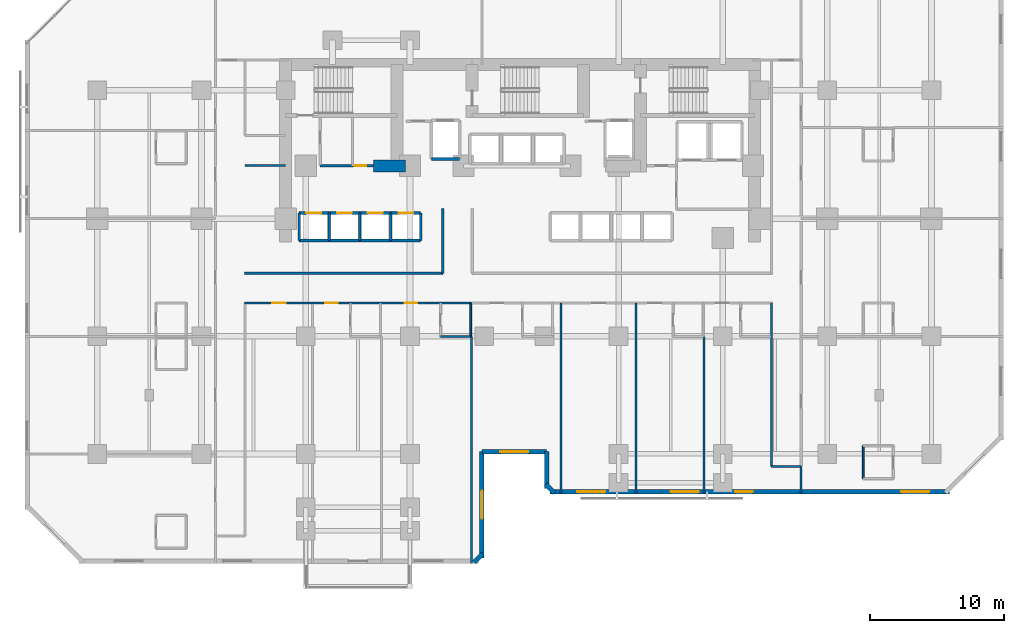
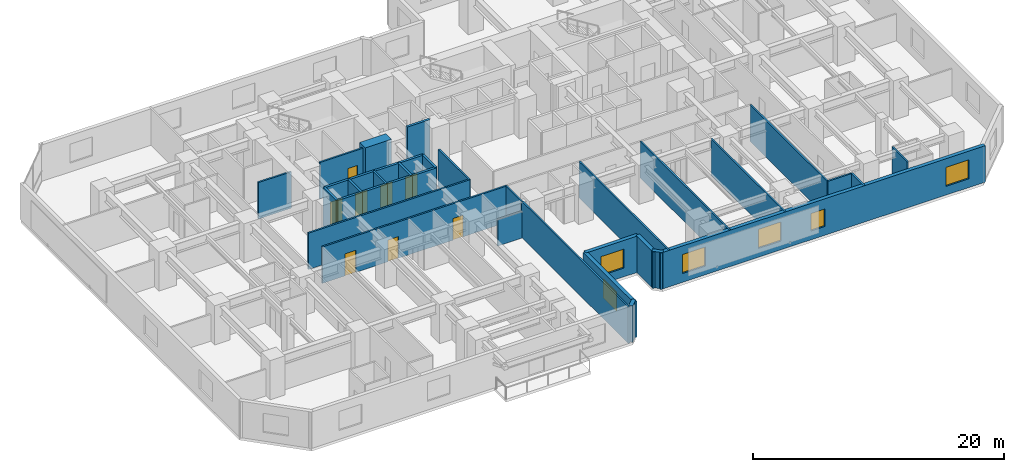
# One storey, part 6 of 12: 36 walls, 8 doors, 6 windows, 14 openings.
"""IFC4 building model written with IfcOpenShell, lengths in metres."""

import ifcopenshell
import ifcopenshell.guid

model = None  # the IFC model being written
_history = None  # IfcOwnerHistory: only IFC2X3 demands one
_inside = {}  # id of a spatial element -> (the spatial element, [elements in it])
_under = {}  # id of a project, library or spatial element -> (it, [spatial elements below it])
_declared = {}  # id of a project -> (the project, [libraries it declares])
_typed = {}  # id of a type object -> (the type object, [elements of that type])
_made_of = {}  # id of a material, layer set ... -> (it, [elements and type objects made of it])


def new_model(schema):
    """Start an empty IFC model of exactly this schema.

    Asked for "IFC4X3", IfcOpenShell would pick the latest addendum, in which some entities
    have other attributes; the version numbers below select the first issue.
    IFC2X3 requires an IfcOwnerHistory on every rooted entity: one is made here for all.
    """
    global model, _history
    if schema == "IFC4X3":
        model = ifcopenshell.file(schema_version=(4, 3, 0, 0))
    else:
        model = ifcopenshell.file(schema=schema)
    _inside.clear()
    _under.clear()
    _declared.clear()
    _typed.clear()
    _made_of.clear()
    _history = None
    if model.schema == "IFC2X3":
        org = make("IfcOrganization", Name="unknown")
        user = make(
            "IfcPersonAndOrganization",
            ThePerson=make("IfcPerson", FamilyName="unknown"),
            TheOrganization=org,
        )
        app = make(
            "IfcApplication",
            ApplicationDeveloper=org,
            Version="unknown",
            ApplicationFullName="unknown",
            ApplicationIdentifier="unknown",
        )
        _history = make(
            "IfcOwnerHistory",
            OwningUser=user,
            OwningApplication=app,
            ChangeAction="ADDED",
            CreationDate=0,
        )
    return model


def make(cls, **values):
    """One entity of the class cls with the attributes given. An attribute that is None is left unset."""
    return model.create_entity(
        cls, **{name: value for name, value in values.items() if value is not None}
    )


def rooted(cls, **values):
    """An entity with a GlobalId (a new one), such as an element, a storey or a relation."""
    return make(cls, GlobalId=ifcopenshell.guid.new(), OwnerHistory=_history, **values)


def si_unit(unit_type, name, prefix=None):
    """IfcSIUnit, for example si_unit("LENGTHUNIT", "METRE", prefix="MILLI")."""
    return make("IfcSIUnit", UnitType=unit_type, Prefix=prefix, Name=name)


def assignment(units):
    """IfcUnitAssignment: the units of a project."""
    return None if units is None else make("IfcUnitAssignment", Units=units)


def point(xyz):
    """IfcCartesianPoint."""
    return None if xyz is None else make("IfcCartesianPoint", Coordinates=xyz)


def direction(xyz):
    """IfcDirection."""
    return None if xyz is None else make("IfcDirection", DirectionRatios=xyz)


def frame(location, z_axis=None, x_axis=None):
    """IfcAxis2Placement3D, a coordinate frame: its origin and axes. An axis left out is left unset."""
    return make(
        "IfcAxis2Placement3D",
        Location=point(location),
        Axis=direction(z_axis),
        RefDirection=direction(x_axis),
    )


def frame_2d(location, x_axis=None):
    """IfcAxis2Placement2D, a coordinate frame in the plane: its origin and x axis."""
    return make(
        "IfcAxis2Placement2D", Location=point(location), RefDirection=direction(x_axis)
    )


def origin():
    """The frame at (0, 0, 0) with its axes left unset."""
    return frame((0.0, 0.0, 0.0))


def place(relative_to, where):
    """IfcLocalPlacement: puts the frame where relative to a parent placement (None: the world)."""
    return make(
        "IfcLocalPlacement", PlacementRelTo=relative_to, RelativePlacement=where
    )


def context(
    kind, dimensions, precision=None, world=None, true_north=None, identifier=None
):
    """IfcGeometricRepresentationContext, for example the 3D "Model" context."""
    return make(
        "IfcGeometricRepresentationContext",
        ContextIdentifier=identifier,
        ContextType=kind,
        CoordinateSpaceDimension=dimensions,
        Precision=precision,
        WorldCoordinateSystem=world,
        TrueNorth=true_north,
    )


def subcontext(parent, identifier, kind, view, scale=None):
    """IfcGeometricRepresentationSubContext, for example "Body" below "Model"."""
    return make(
        "IfcGeometricRepresentationSubContext",
        ContextIdentifier=identifier,
        ContextType=kind,
        ParentContext=parent,
        TargetScale=scale,
        TargetView=view,
    )


def project(units=None, contexts=None):
    """IfcProject with its units and contexts."""
    return rooted(
        "IfcProject",
        Name="project",
        RepresentationContexts=contexts,
        UnitsInContext=assignment(units),
    )


def spatial(cls, under=None, at=None, **own):
    """A site, building, storey or space (cls), placed at a placement, below another one or the project."""
    s = rooted(cls, ObjectPlacement=at, **own)
    if under is not None:
        _under.setdefault(under.id(), (under, []))[1].append(s)
    return s


def profile(cls, at=None, kind="AREA", **sizes):
    """A parametric profile (cls). Its sizes go by their IFC names, for example OverallWidth=200.0."""
    return make(cls, ProfileType=kind, Position=at, **sizes)


def rectangle(**sizes):
    """IfcRectangleProfileDef."""
    return profile("IfcRectangleProfileDef", **sizes)


def extrude(swept, where, along, depth):
    """IfcExtrudedAreaSolid: the profile swept, set in the frame where, extruded along a direction by depth."""
    return make(
        "IfcExtrudedAreaSolid",
        SweptArea=swept,
        Position=where,
        ExtrudedDirection=direction(along),
        Depth=depth,
    )


def shape(context_of_items, identifier, shape_type, items):
    """IfcShapeRepresentation: the items that make up one representation, for example the "Body"."""
    return make(
        "IfcShapeRepresentation",
        ContextOfItems=context_of_items,
        RepresentationIdentifier=identifier,
        RepresentationType=shape_type,
        Items=items,
    )


def material(Name=None, Category=None):
    """IfcMaterial."""
    return make("IfcMaterial", Name=Name, Category=Category)


def layer(
    of_material, thickness, ventilated=None, Name=None, Category=None, Priority=None
):
    """IfcMaterialLayer: one layer of a wall or slab, of a material (None: an air gap)."""
    return make(
        "IfcMaterialLayer",
        Material=of_material,
        LayerThickness=thickness,
        IsVentilated=ventilated,
        Name=Name,
        Category=Category,
        Priority=Priority,
    )


def layer_set(layers, Name=None):
    """IfcMaterialLayerSet."""
    return make("IfcMaterialLayerSet", MaterialLayers=layers, LayerSetName=Name)


def made_of(thing, what):
    """Note that an element or type object is made of a material, layer set ...; save() writes the relation."""
    if what is not None:
        _made_of.setdefault(what.id(), (what, []))[1].append(thing)
    return thing


def type_object(cls, material=None, **own):
    """A type object (cls), such as IfcWallType, which elements share."""
    return made_of(rooted(cls, **own), material)


def element(
    cls,
    number,
    at=None,
    inside=None,
    cuts=None,
    type_object=None,
    material=None,
    context=None,
    identifier="Body",
    shape_type=None,
    held_by="IfcProductDefinitionShape",
    body=None,
    shapes=None,
    **own,
):
    """One element of the class cls, such as IfcWall. Its Tag is "e" and its number.

    at: its placement. inside: the storey or other place that contains it. cuts: it is an
    opening in that element (IfcRelVoidsElement). A single representation is given by context,
    identifier, shape_type and body (its items); several are given by shapes. held_by: the class
    of the entity that holds the representations. save() writes the other relations.
    """
    e = rooted(cls, Tag="e%d" % number, ObjectPlacement=at, **own)
    if body is not None:
        shapes = [shape(context, identifier, shape_type, body)]
    if shapes is not None:
        e.Representation = make(held_by, Representations=shapes)
    if inside is not None:
        _inside.setdefault(inside.id(), (inside, []))[1].append(e)
    if cuts is not None:
        rooted(
            "IfcRelVoidsElement", RelatingBuildingElement=cuts, RelatedOpeningElement=e
        )
    if type_object is not None:
        _typed.setdefault(type_object.id(), (type_object, []))[1].append(e)
    return made_of(e, material)


def fill(opening, filler):
    """IfcRelFillsElement: the door or window that sits in an opening."""
    return rooted(
        "IfcRelFillsElement",
        RelatingOpeningElement=opening,
        RelatedBuildingElement=filler,
    )


def aggregate(whole, parts):
    """IfcRelAggregates: a whole, such as a stair, and the parts it consists of."""
    return rooted("IfcRelAggregates", RelatingObject=whole, RelatedObjects=parts)


def save(model, path):
    """Write the relations noted so far, then the file.

    IfcRelAggregates (storeys below a building ...), IfcRelContainedInSpatialStructure (elements
    in a storey), IfcRelDefinesByType, IfcRelAssociatesMaterial and IfcRelDeclares: one each for
    every whole, place, type object, material and project.
    """
    for whole, parts in _under.values():
        aggregate(whole, parts)
    for where, things in _inside.values():
        rooted(
            "IfcRelContainedInSpatialStructure",
            RelatedElements=things,
            RelatingStructure=where,
        )
    for kind, things in _typed.values():
        rooted("IfcRelDefinesByType", RelatedObjects=things, RelatingType=kind)
    for what, things in _made_of.values():
        rooted("IfcRelAssociatesMaterial", RelatedObjects=things, RelatingMaterial=what)
    for by, libraries in _declared.values():
        rooted("IfcRelDeclares", RelatingContext=by, RelatedDefinitions=libraries)
    model.write(path)


model = new_model("IFC4")

# Units and contexts
model_context = context("Model", 3, precision=1e-05, world=origin(), true_north=direction((0.0, 1.0)))
body_context = subcontext(model_context, "Body", "Model", "MODEL_VIEW")
ifc_project = project(units=[si_unit("LENGTHUNIT", "METRE"), si_unit("AREAUNIT", "SQUARE_METRE"), si_unit("VOLUMEUNIT", "CUBIC_METRE"), si_unit("PLANEANGLEUNIT", "RADIAN"), si_unit("MASSUNIT", "GRAM", prefix="KILO")], contexts=[model_context])

# Site, building, storey
site_placement = place(None, origin())
site = spatial("IfcSite", under=ifc_project, at=site_placement, CompositionType="ELEMENT")
building_placement = place(site_placement, origin())
building = spatial("IfcBuilding", under=site, at=building_placement, Name="Kestravale Grand Hotel", CompositionType="ELEMENT")
storey_placement = place(building_placement, frame((0.0, 0.0, 33.60009765625)))
storey = spatial("IfcBuildingStorey", under=building, at=storey_placement, Name="L07", CompositionType="ELEMENT", Elevation=33.60009765625)

# Walls
ifc_material_1 = material(Name="Concrete f'c 70 MPa", Category="concrete")
ifc_layer_1 = layer(ifc_material_1, 0.89990234375)
ifc_layer_set_1 = layer_set([ifc_layer_1], Name="EW-CORE-900")
wall_type_1 = type_object("IfcWallType", Name="EW-CORE-900", PredefinedType="SHEAR", material=ifc_layer_set_1)
wall_1_placement = place(storey_placement, frame((28.449951171875, 32.75, 0.0), z_axis=(0.0, 0.0, 1.0), x_axis=(1.0, 0.0, 0.0)))
element("IfcWall", 1, at=wall_1_placement, inside=storey, type_object=wall_type_1, Name="L07 core shear wall S1", PredefinedType="SHEAR", context=body_context, shape_type="SweptSolid", body=[
    extrude(rectangle(XDim=2.400146484375, YDim=0.89990234375, at=frame_2d((1.2001953125, 0.0))), origin(), (0.0, 0.0, 1.0), 3.7998046875),
])
ifc_material_2 = material(Name="Precast concrete f'c 45 MPa", Category="concrete")
ifc_layer_2 = layer(ifc_material_2, 0.340087890625)
ifc_layer_set_2 = layer_set([ifc_layer_2], Name="EW-PREC-340")
wall_type_2 = type_object("IfcWallType", Name="EW-PREC-340", PredefinedType="SOLIDWALL", material=ifc_layer_set_2)
wall_2_placement = place(storey_placement, frame((36.00146484375, 3.091796875, 0.0), z_axis=(0.0, 0.0, 1.0), x_axis=(0.707106781187, 0.707106781187, 0.0)))
element("IfcWall", 2, at=wall_2_placement, inside=storey, type_object=wall_type_2, Name="L07 fluted precast facade wall 2", PredefinedType="SOLIDWALL", context=body_context, shape_type="SweptSolid", body=[
    extrude(rectangle(XDim=0.9287109375, YDim=0.340087890625, at=frame_2d((0.46435546875, 0.0))), origin(), (0.0, 0.0, 1.0), 3.539794921875),
])

# Wall, opening, window
wall_3_placement = place(storey_placement, frame((36.580078125, 3.429931640625, 0.0), z_axis=(0.0, 0.0, 1.0), x_axis=(0.0, 1.0, 0.0)))
wall_3 = element("IfcWall", 3, at=wall_3_placement, inside=storey, type_object=wall_type_2, Name="L07 fluted precast facade wall 3", PredefinedType="SOLIDWALL", context=body_context, shape_type="SweptSolid", body=[
    extrude(rectangle(XDim=7.940185546875, YDim=0.340087890625, at=frame_2d((3.97021484375, 0.0))), origin(), (0.0, 0.0, 1.0), 3.539794921875),
])
opening_1_placement = place(wall_3_placement, frame((2.919921875, 0.0, 0.85009765625)))
opening_1 = element("IfcOpeningElement", 4, at=opening_1_placement, cuts=wall_3, Name="Opening W-GUEST-2100", PredefinedType="OPENING", context=body_context, shape_type="SweptSolid", body=[
    extrude(rectangle(XDim=2.10009765625, YDim=1.85009765625, at=frame_2d((1.050048828125, 0.925048828125))), frame((0.0, 0.179931640625, 0.0), z_axis=(0.0, -1.0, 0.0), x_axis=(1.0, 0.0, 0.0)), (0.0, 0.0, 1.0), 0.360107421875),
])
ifc_material_3 = material(Name="Insulated low-E double glazing in aluminium frame", Category="aluminium")
window_type_1 = type_object("IfcWindowType", Name="W-GUEST-2100", PartitioningType="DOUBLE_PANEL_VERTICAL", PredefinedType="WINDOW", material=ifc_material_3)
window_1_placement = place(opening_1_placement, origin())
window_1 = element("IfcWindow", 5, at=window_1_placement, inside=storey, type_object=window_type_1, Name="L07 exterior window 3.1", OverallHeight=1.85009765625, OverallWidth=2.10009765625, PartitioningType="SINGLE_PANEL", PredefinedType="WINDOW", context=body_context, shape_type="SweptSolid", body=[
    extrude(rectangle(XDim=2.10009765625, YDim=1.85009765625, at=frame_2d((1.050048828125, 0.925048828125))), frame((0.0, 0.030029296875, 0.0), z_axis=(0.0, -1.0, 0.0), x_axis=(1.0, 0.0, 0.0)), (0.0, 0.0, 1.0), 0.06005859375),
])
fill(opening_1, window_1)

wall_4_placement = place(storey_placement, frame((36.580078125, 11.3701171875, 0.0), z_axis=(0.0, 0.0, 1.0), x_axis=(1.0, 0.0, 0.0)))
wall_4 = element("IfcWall", 6, at=wall_4_placement, inside=storey, type_object=wall_type_2, Name="L07 fluted precast facade wall 4", PredefinedType="SOLIDWALL", context=body_context, shape_type="SweptSolid", body=[
    extrude(rectangle(XDim=4.83984375, YDim=0.340087890625, at=frame_2d((2.419921875, 0.0))), origin(), (0.0, 0.0, 1.0), 3.539794921875),
])
opening_2_placement = place(wall_4_placement, frame((1.3701171875, 0.0, 0.85009765625)))
opening_2 = element("IfcOpeningElement", 7, at=opening_2_placement, cuts=wall_4, Name="Opening W-GUEST-2100", PredefinedType="OPENING", context=body_context, shape_type="SweptSolid", body=[
    extrude(rectangle(XDim=2.10009765625, YDim=1.85009765625, at=frame_2d((1.050048828125, 0.925048828125))), frame((0.0, 0.179931640625, 0.0), z_axis=(0.0, -1.0, 0.0), x_axis=(1.0, 0.0, 0.0)), (0.0, 0.0, 1.0), 0.360107421875),
])
window_2_placement = place(opening_2_placement, origin())
window_2 = element("IfcWindow", 8, at=window_2_placement, inside=storey, type_object=window_type_1, Name="L07 exterior window 4.1", OverallHeight=1.85009765625, OverallWidth=2.10009765625, PartitioningType="SINGLE_PANEL", PredefinedType="WINDOW", context=body_context, shape_type="SweptSolid", body=[
    extrude(rectangle(XDim=2.10009765625, YDim=1.85009765625, at=frame_2d((1.050048828125, 0.925048828125))), frame((0.0, 0.030029296875, 0.0), z_axis=(0.0, -1.0, 0.0), x_axis=(1.0, 0.0, 0.0)), (0.0, 0.0, 1.0), 0.06005859375),
])
fill(opening_2, window_2)

# Walls
wall_5_placement = place(storey_placement, frame((41.419921875, 11.3701171875, 0.0), z_axis=(0.0, 0.0, 1.0), x_axis=(0.0, -1.0, 0.0)))
element("IfcWall", 9, at=wall_5_placement, inside=storey, type_object=wall_type_2, Name="L07 fluted precast facade wall 5", PredefinedType="SOLIDWALL", context=body_context, shape_type="SweptSolid", body=[
    extrude(rectangle(XDim=2.740234375, YDim=0.340087890625, at=frame_2d((1.3701171875, 0.0))), origin(), (0.0, 0.0, 1.0), 3.539794921875),
])
wall_6_placement = place(storey_placement, frame((41.341796875, 8.948486328125, 0.0), z_axis=(0.0, 0.0, 1.0), x_axis=(0.707238225886, -0.706975312048, 0.0)))
element("IfcWall", 10, at=wall_6_placement, inside=storey, type_object=wall_type_2, Name="L07 fluted precast facade wall 6", PredefinedType="SOLIDWALL", context=body_context, shape_type="SweptSolid", body=[
    extrude(rectangle(XDim=0.9287109375, YDim=0.340087890625, at=frame_2d((0.46435546875, 0.0))), origin(), (0.0, 0.0, 1.0), 3.539794921875),
])

# Wall, openings, windows
wall_7_placement = place(storey_placement, frame((41.679931640625, 8.3701171875, 0.0), z_axis=(0.0, 0.0, 1.0), x_axis=(1.0, 0.0, 0.0)))
wall_7 = element("IfcWall", 11, at=wall_7_placement, inside=storey, type_object=wall_type_2, Name="L07 fluted precast facade wall 7", PredefinedType="SOLIDWALL", context=body_context, shape_type="SweptSolid", body=[
    extrude(rectangle(XDim=29.89013671875, YDim=0.340087890625, at=frame_2d((14.945068359375, 0.0))), origin(), (0.0, 0.0, 1.0), 3.539794921875),
])
opening_3_placement = place(wall_7_placement, frame((2.0361328125, 0.0, 0.85009765625)))
opening_3 = element("IfcOpeningElement", 12, at=opening_3_placement, cuts=wall_7, Name="Opening W-GUEST-2100", PredefinedType="OPENING", context=body_context, shape_type="SweptSolid", body=[
    extrude(rectangle(XDim=2.10009765625, YDim=1.85009765625, at=frame_2d((1.050048828125, 0.925048828125))), frame((0.0, 0.179931640625, 0.0), z_axis=(0.0, -1.0, 0.0), x_axis=(1.0, 0.0, 0.0)), (0.0, 0.0, 1.0), 0.360107421875),
])
opening_4_placement = place(wall_7_placement, frame((9.0087890625, 0.0, 0.85009765625)))
opening_4 = element("IfcOpeningElement", 13, at=opening_4_placement, cuts=wall_7, Name="Opening W-GUEST-2100", PredefinedType="OPENING", context=body_context, shape_type="SweptSolid", body=[
    extrude(rectangle(XDim=2.10009765625, YDim=1.85009765625, at=frame_2d((1.050048828125, 0.925048828125))), frame((0.0, 0.179931640625, 0.0), z_axis=(0.0, -1.0, 0.0), x_axis=(1.0, 0.0, 0.0)), (0.0, 0.0, 1.0), 0.360107421875),
])
opening_5_placement = place(wall_7_placement, frame((26.253662109375, 0.0, 0.85009765625)))
opening_5 = element("IfcOpeningElement", 14, at=opening_5_placement, cuts=wall_7, Name="Opening W-GUEST-2100", PredefinedType="OPENING", context=body_context, shape_type="SweptSolid", body=[
    extrude(rectangle(XDim=2.10009765625, YDim=1.85009765625, at=frame_2d((1.050048828125, 0.925048828125))), frame((0.0, 0.179931640625, 0.0), z_axis=(0.0, -1.0, 0.0), x_axis=(1.0, 0.0, 0.0)), (0.0, 0.0, 1.0), 0.360107421875),
])
opening_6_placement = place(wall_7_placement, frame((13.844970703125, 0.0, 0.85009765625)))
opening_6 = element("IfcOpeningElement", 15, at=opening_6_placement, cuts=wall_7, Name="Opening W-GUEST-1300", PredefinedType="OPENING", context=body_context, shape_type="SweptSolid", body=[
    extrude(rectangle(XDim=1.300048828125, YDim=1.699951171875, at=frame_2d((0.64990234375, 0.85009765625))), frame((0.0, 0.179931640625, 0.0), z_axis=(0.0, -1.0, 0.0), x_axis=(1.0, 0.0, 0.0)), (0.0, 0.0, 1.0), 0.360107421875),
])
ifc_material_4 = material(Name="Insulated low-E double glazing in aluminium frame", Category="aluminium")
window_type_2 = type_object("IfcWindowType", Name="W-GUEST-1300", PartitioningType="SINGLE_PANEL", PredefinedType="WINDOW", material=ifc_material_4)
window_3_placement = place(opening_6_placement, origin())
window_3 = element("IfcWindow", 16, at=window_3_placement, inside=storey, type_object=window_type_2, Name="L07 guestroom envelope window 1", OverallHeight=1.699951171875, OverallWidth=1.300048828125, PartitioningType="SINGLE_PANEL", PredefinedType="WINDOW", context=body_context, shape_type="SweptSolid", body=[
    extrude(rectangle(XDim=1.300048828125, YDim=1.699951171875, at=frame_2d((0.64990234375, 0.85009765625))), frame((0.0, 0.030029296875, 0.0), z_axis=(0.0, -1.0, 0.0), x_axis=(1.0, 0.0, 0.0)), (0.0, 0.0, 1.0), 0.06005859375),
])
fill(opening_6, window_3)
window_4_placement = place(opening_3_placement, origin())
window_4 = element("IfcWindow", 17, at=window_4_placement, inside=storey, type_object=window_type_1, Name="L07 exterior window 7.1", OverallHeight=1.85009765625, OverallWidth=2.10009765625, PartitioningType="SINGLE_PANEL", PredefinedType="WINDOW", context=body_context, shape_type="SweptSolid", body=[
    extrude(rectangle(XDim=2.10009765625, YDim=1.85009765625, at=frame_2d((1.050048828125, 0.925048828125))), frame((0.0, 0.030029296875, 0.0), z_axis=(0.0, -1.0, 0.0), x_axis=(1.0, 0.0, 0.0)), (0.0, 0.0, 1.0), 0.06005859375),
])
fill(opening_3, window_4)
window_5_placement = place(opening_4_placement, origin())
window_5 = element("IfcWindow", 18, at=window_5_placement, inside=storey, type_object=window_type_1, Name="L07 exterior window 7.2", OverallHeight=1.85009765625, OverallWidth=2.10009765625, PartitioningType="SINGLE_PANEL", PredefinedType="WINDOW", context=body_context, shape_type="SweptSolid", body=[
    extrude(rectangle(XDim=2.10009765625, YDim=1.85009765625, at=frame_2d((1.050048828125, 0.925048828125))), frame((0.0, 0.030029296875, 0.0), z_axis=(0.0, -1.0, 0.0), x_axis=(1.0, 0.0, 0.0)), (0.0, 0.0, 1.0), 0.06005859375),
])
fill(opening_4, window_5)
window_6_placement = place(opening_5_placement, origin())
window_6 = element("IfcWindow", 19, at=window_6_placement, inside=storey, type_object=window_type_1, Name="L07 exterior window 7.3", OverallHeight=1.85009765625, OverallWidth=2.10009765625, PartitioningType="SINGLE_PANEL", PredefinedType="WINDOW", context=body_context, shape_type="SweptSolid", body=[
    extrude(rectangle(XDim=2.10009765625, YDim=1.85009765625, at=frame_2d((1.050048828125, 0.925048828125))), frame((0.0, 0.030029296875, 0.0), z_axis=(0.0, -1.0, 0.0), x_axis=(1.0, 0.0, 0.0)), (0.0, 0.0, 1.0), 0.06005859375),
])
fill(opening_5, window_6)

# Wall, opening, door
ifc_material_5 = material(Name="Acoustic fire-rated gypsum board partition", Category="other")
ifc_layer_3 = layer(ifc_material_5, 0.159912109375)
ifc_layer_set_3 = layer_set([ifc_layer_3], Name="IW-CORR-160")
wall_type_3 = type_object("IfcWallType", Name="IW-CORR-160", PredefinedType="PARTITIONING", material=ifc_layer_set_3)
wall_8_placement = place(storey_placement, frame((24.47998046875, 32.75, 0.0), z_axis=(0.0, 0.0, 1.0), x_axis=(1.0, 0.0, 0.0)))
wall_8 = element("IfcWall", 20, at=wall_8_placement, inside=storey, type_object=wall_type_3, Name="W-L07-CWS", PredefinedType="PARTITIONING", context=body_context, shape_type="SweptSolid", body=[
    extrude(rectangle(XDim=3.969970703125, YDim=0.159912109375, at=frame_2d((1.98486328125, 0.0))), origin(), (0.0, 0.0, 1.0), 3.539794921875),
])
opening_7_placement = place(wall_8_placement, frame((2.574951171875, 0.0, 0.0)))
opening_7 = element("IfcOpeningElement", 21, at=opening_7_placement, cuts=wall_8, Name="Opening D-BATH-880", PredefinedType="OPENING", context=body_context, shape_type="SweptSolid", body=[
    extrude(rectangle(XDim=0.8798828125, YDim=2.050048828125, at=frame_2d((0.43994140625, 1.02490234375))), frame((0.0, 0.08984375, 0.0), z_axis=(0.0, -1.0, 0.0), x_axis=(1.0, 0.0, 0.0)), (0.0, 0.0, 1.0), 0.179931640625),
])
ifc_material_6 = material(Name="Moisture-sealed walnut en-suite bathroom door", Category="wood")
door_type_1 = type_object("IfcDoorType", Name="D-BATH-880", OperationType="NOTDEFINED", PredefinedType="DOOR", material=ifc_material_6)
door_1_placement = place(opening_7_placement, origin())
door_1 = element("IfcDoor", 22, at=door_1_placement, inside=storey, type_object=door_type_1, Name="D-L07-SWC", OperationType="SINGLE_SWING_RIGHT", OverallHeight=2.050048828125, OverallWidth=0.8798828125, PredefinedType="DOOR", context=body_context, shape_type="SweptSolid", body=[
    extrude(rectangle(XDim=0.8798828125, YDim=2.050048828125, at=frame_2d((0.43994140625, 1.02490234375))), frame((0.0, 0.02490234375, 0.0), z_axis=(0.0, -1.0, 0.0), x_axis=(1.0, 0.0, 0.0)), (0.0, 0.0, 1.0), 0.050048828125),
])
fill(opening_7, door_1)

# Walls
wall_9_placement = place(storey_placement, frame((18.800048828125, 24.7099609375, 0.0), z_axis=(0.0, 0.0, 1.0), x_axis=(1.0, 0.0, 0.0)))
element("IfcWall", 23, at=wall_9_placement, inside=storey, type_object=wall_type_3, Name="W-L07-CW-N", PredefinedType="PARTITIONING", context=body_context, shape_type="SweptSolid", body=[
    extrude(rectangle(XDim=14.849853515625, YDim=0.159912109375, at=frame_2d((7.4248046875, 0.0))), origin(), (0.0, 0.0, 1.0), 3.539794921875),
])
wall_10_placement = place(storey_placement, frame((33.64990234375, 24.7099609375, 0.0), z_axis=(0.0, 0.0, 1.0), x_axis=(0.0, 1.0, 0.0)))
element("IfcWall", 24, at=wall_10_placement, inside=storey, type_object=wall_type_3, Name="W-L07-TRUNK-W", PredefinedType="PARTITIONING", context=body_context, shape_type="SweptSolid", body=[
    extrude(rectangle(XDim=4.840087890625, YDim=0.159912109375, at=frame_2d((2.419921875, 0.0))), origin(), (0.0, 0.0, 1.0), 3.539794921875),
])

# Wall, openings, doors
wall_11_placement = place(storey_placement, frame((18.800048828125, 22.489990234375, 0.0), z_axis=(0.0, 0.0, 1.0), x_axis=(1.0, 0.0, 0.0)))
wall_11 = element("IfcWall", 25, at=wall_11_placement, inside=storey, type_object=wall_type_3, Name="W-L07-CW-S", PredefinedType="PARTITIONING", context=body_context, shape_type="SweptSolid", body=[
    extrude(rectangle(XDim=17.0, YDim=0.159912109375, at=frame_2d((8.5, 0.0))), origin(), (0.0, 0.0, 1.0), 3.539794921875),
])
opening_8_placement = place(wall_11_placement, frame((2.0849609375, 0.0, 0.0)))
opening_8 = element("IfcOpeningElement", 26, at=opening_8_placement, cuts=wall_11, Name="Opening D-GUEST-1000", PredefinedType="OPENING", context=body_context, shape_type="SweptSolid", body=[
    extrude(rectangle(XDim=1.0, YDim=2.14990234375, at=frame_2d((0.5, 1.074951171875))), frame((0.0, 0.08984375, 0.0), z_axis=(0.0, -1.0, 0.0), x_axis=(1.0, 0.0, 0.0)), (0.0, 0.0, 1.0), 0.179931640625),
])
opening_9_placement = place(wall_11_placement, frame((6.0517578125, 0.0, 0.0)))
opening_9 = element("IfcOpeningElement", 27, at=opening_9_placement, cuts=wall_11, Name="Opening D-GUEST-950", PredefinedType="OPENING", context=body_context, shape_type="SweptSolid", body=[
    extrude(rectangle(XDim=0.949951171875, YDim=2.10009765625, at=frame_2d((0.47509765625, 1.050048828125))), frame((0.0, 0.08984375, 0.0), z_axis=(0.0, -1.0, 0.0), x_axis=(1.0, 0.0, 0.0)), (0.0, 0.0, 1.0), 0.179931640625),
])
opening_10_placement = place(wall_11_placement, frame((11.99658203125, 0.0, 0.0)))
opening_10 = element("IfcOpeningElement", 28, at=opening_10_placement, cuts=wall_11, Name="Opening D-GUEST-950", PredefinedType="OPENING", context=body_context, shape_type="SweptSolid", body=[
    extrude(rectangle(XDim=0.949951171875, YDim=2.10009765625, at=frame_2d((0.47509765625, 1.050048828125))), frame((0.0, 0.08984375, 0.0), z_axis=(0.0, -1.0, 0.0), x_axis=(1.0, 0.0, 0.0)), (0.0, 0.0, 1.0), 0.179931640625),
])
ifc_material_7 = material(Name="Accessible walnut veneer hotel entrance fire door", Category="wood")
door_type_2 = type_object("IfcDoorType", Name="D-GUEST-1000", OperationType="NOTDEFINED", PredefinedType="DOOR", material=ifc_material_7)
door_2_placement = place(opening_8_placement, origin())
door_2 = element("IfcDoor", 29, at=door_2_placement, inside=storey, type_object=door_type_2, Name="D-L07-AMW", OperationType="SINGLE_SWING_LEFT", OverallHeight=2.14990234375, OverallWidth=1.0, PredefinedType="DOOR", context=body_context, shape_type="SweptSolid", body=[
    extrude(rectangle(XDim=1.0, YDim=2.14990234375, at=frame_2d((0.5, 1.074951171875))), frame((0.0, 0.02490234375, 0.0), z_axis=(0.0, -1.0, 0.0), x_axis=(1.0, 0.0, 0.0)), (0.0, 0.0, 1.0), 0.050048828125),
])
fill(opening_8, door_2)
ifc_material_8 = material(Name="Walnut veneer hotel guestroom entrance fire door", Category="wood")
door_type_3 = type_object("IfcDoorType", Name="D-GUEST-950", OperationType="NOTDEFINED", PredefinedType="DOOR", material=ifc_material_8)
door_3_placement = place(opening_9_placement, origin())
door_3 = element("IfcDoor", 30, at=door_3_placement, inside=storey, type_object=door_type_3, Name="D-L07-U01-ENT", OperationType="SINGLE_SWING_LEFT", OverallHeight=2.10009765625, OverallWidth=0.949951171875, PredefinedType="DOOR", context=body_context, shape_type="SweptSolid", body=[
    extrude(rectangle(XDim=0.949951171875, YDim=2.10009765625, at=frame_2d((0.47509765625, 1.050048828125))), frame((0.0, 0.02490234375, 0.0), z_axis=(0.0, -1.0, 0.0), x_axis=(1.0, 0.0, 0.0)), (0.0, 0.0, 1.0), 0.050048828125),
])
fill(opening_9, door_3)
door_4_placement = place(opening_10_placement, origin())
door_4 = element("IfcDoor", 31, at=door_4_placement, inside=storey, type_object=door_type_3, Name="D-L07-U02-ENT", OperationType="SINGLE_SWING_LEFT", OverallHeight=2.10009765625, OverallWidth=0.949951171875, PredefinedType="DOOR", context=body_context, shape_type="SweptSolid", body=[
    extrude(rectangle(XDim=0.949951171875, YDim=2.10009765625, at=frame_2d((0.47509765625, 1.050048828125))), frame((0.0, 0.02490234375, 0.0), z_axis=(0.0, -1.0, 0.0), x_axis=(1.0, 0.0, 0.0)), (0.0, 0.0, 1.0), 0.050048828125),
])
fill(opening_10, door_4)

# Walls
wall_12_placement = place(storey_placement, frame((18.860107421875, 32.780029296875, 0.0), z_axis=(0.0, 0.0, 1.0), x_axis=(1.0, 0.0, 0.0)))
element("IfcWall", 32, at=wall_12_placement, inside=storey, type_object=wall_type_3, Name="W-L07-SW-CS", PredefinedType="PARTITIONING", context=body_context, shape_type="SweptSolid", body=[
    extrude(rectangle(XDim=3.039794921875, YDim=0.159912109375, at=frame_2d((1.52001953125, 0.0))), origin(), (0.0, 0.0, 1.0), 3.539794921875),
])
wall_13_placement = place(storey_placement, frame((58.239990234375, 10.25, 0.0), z_axis=(0.0, 0.0, 1.0), x_axis=(0.0, 1.0, 0.0)))
element("IfcWall", 33, at=wall_13_placement, inside=storey, type_object=wall_type_3, Name="W-L07-SE-W", PredefinedType="PARTITIONING", context=body_context, shape_type="SweptSolid", body=[
    extrude(rectangle(XDim=12.239990234375, YDim=0.159912109375, at=frame_2d((6.1201171875, 0.0))), origin(), (0.0, 0.0, 1.0), 3.539794921875),
])
ifc_material_9 = material(Name="Moisture-resistant tile-backer plumbing chase wall", Category="other")
ifc_layer_4 = layer(ifc_material_9, 0.139892578125)
ifc_layer_set_4 = layer_set([ifc_layer_4], Name="IW-PLB-140")
wall_type_4 = type_object("IfcWallType", Name="IW-PLB-140", PredefinedType="PLUMBINGWALL", material=ifc_layer_set_4)
wall_14_placement = place(storey_placement, frame((35.739990234375, 19.97998046875, 0.0), z_axis=(0.0, 0.0, 1.0), x_axis=(0.0, 1.0, 0.0)))
element("IfcWall", 34, at=wall_14_placement, inside=storey, type_object=wall_type_4, Name="W-L07-U02-BE", PredefinedType="PLUMBINGWALL", context=body_context, shape_type="SweptSolid", body=[
    extrude(rectangle(XDim=2.489990234375, YDim=0.139892578125, at=frame_2d((1.2451171875, 0.0))), origin(), (0.0, 0.0, 1.0), 3.539794921875),
])
wall_15_placement = place(storey_placement, frame((33.489990234375, 19.97998046875, 0.0), z_axis=(0.0, 0.0, 1.0), x_axis=(1.0, 0.0, 0.0)))
element("IfcWall", 35, at=wall_15_placement, inside=storey, type_object=wall_type_4, Name="W-L07-U02-BS", PredefinedType="PLUMBINGWALL", context=body_context, shape_type="SweptSolid", body=[
    extrude(rectangle(XDim=2.25, YDim=0.139892578125, at=frame_2d((1.125, 0.0))), origin(), (0.0, 0.0, 1.0), 2.593017578125),
])
wall_16_placement = place(storey_placement, frame((65.10009765625, 9.35009765625, 0.0), z_axis=(0.0, 0.0, 1.0), x_axis=(0.0, 1.0, 0.0)))
element("IfcWall", 36, at=wall_16_placement, inside=storey, type_object=wall_type_4, Name="W-L07-U10-BW", PredefinedType="PLUMBINGWALL", context=body_context, shape_type="SweptSolid", body=[
    extrude(rectangle(XDim=2.449951171875, YDim=0.139892578125, at=frame_2d((1.22509765625, 0.0))), origin(), (0.0, 0.0, 1.0), 3.539794921875),
])
ifc_material_10 = material(Name="Concrete f'c 45 MPa", Category="concrete")
ifc_layer_5 = layer(ifc_material_10, 0.199951171875)
ifc_layer_set_5 = layer_set([ifc_layer_5], Name="IW-SHAFT-200")
wall_type_5 = type_object("IfcWallType", Name="IW-SHAFT-200", PredefinedType="SHEAR", material=ifc_layer_set_5)
for number, where, z_axis, x_axis, name in (
    (37, (22.905029296875, 27.169921875, 0.0), (0.0, 0.0, 1.0), (0.0, 1.0, 0.0), "L07 PL-L1 west shaft wall"),
    (38, (25.14990234375, 27.169921875, 0.0), (0.0, 0.0, 1.0), (0.0, 1.0, 0.0), "L07 PL-L2 west shaft wall"),
    (39, (27.449951171875, 27.169921875, 0.0), (0.0, 0.0, 1.0), (0.0, 1.0, 0.0), "L07 PL-L3 west shaft wall"),
    (40, (29.75, 27.169921875, 0.0), (0.0, 0.0, 1.0), (0.0, 1.0, 0.0), "L07 PL-L4 west shaft wall"),
    (41, (31.9951171875, 27.169921875, 0.0), (0.0, 0.0, 1.0), (0.0, 1.0, 0.0), "L07 PL-L4 east shaft wall"),
):
    element("IfcWall", number, at=place(storey_placement, frame(where, z_axis=z_axis, x_axis=x_axis)), inside=storey, type_object=wall_type_5, Name=name, PredefinedType="SHEAR", context=body_context, shape_type="SweptSolid", body=[
        extrude(rectangle(XDim=2.06005859375, YDim=0.199951171875, at=frame_2d((1.030029296875, 0.0))), origin(), (0.0, 0.0, 1.0), 3.7998046875),
    ])

# Wall, opening, door
ifc_material_11 = material(Name="Concrete f'c 45 MPa", Category="concrete")
ifc_layer_6 = layer(ifc_material_11, 0.219970703125)
ifc_layer_set_6 = layer_set([ifc_layer_6], Name="IW-SHAFT-220")
wall_type_6 = type_object("IfcWallType", Name="IW-SHAFT-220", PredefinedType="SHEAR", material=ifc_layer_set_6)
wall_17_placement = place(storey_placement, frame((22.905029296875, 29.22998046875, 0.0), z_axis=(0.0, 0.0, 1.0), x_axis=(1.0, 0.0, 0.0)))
wall_17 = element("IfcWall", 42, at=wall_17_placement, inside=storey, type_object=wall_type_6, Name="L07 PL-L1 north shaft wall", PredefinedType="SHEAR", context=body_context, shape_type="SweptSolid", body=[
    extrude(rectangle(XDim=2.244873046875, YDim=0.219970703125, at=frame_2d((1.12255859375, 0.0))), origin(), (0.0, 0.0, 1.0), 3.7998046875),
])
opening_11_placement = place(wall_17_placement, frame((0.544921875, 0.0, 0.0)))
opening_11 = element("IfcOpeningElement", 43, at=opening_11_placement, cuts=wall_17, Name="Opening LD-PAX-1100", PredefinedType="OPENING", context=body_context, shape_type="SweptSolid", body=[
    extrude(rectangle(XDim=1.10009765625, YDim=2.14990234375, at=frame_2d((0.550048828125, 1.074951171875))), frame((0.0, 0.119873046875, 0.0), z_axis=(0.0, -1.0, 0.0), x_axis=(1.0, 0.0, 0.0)), (0.0, 0.0, 1.0), 0.239990234375),
])
ifc_material_12 = material(Name="Champagne-bronze center-opening sliding elevator landing door", Category="steel")
door_type_4 = type_object("IfcDoorType", Name="LD-PAX-1100", OperationType="NOTDEFINED", PredefinedType="DOOR", material=ifc_material_12)
door_5_placement = place(opening_11_placement, origin())
door_5 = element("IfcDoor", 44, at=door_5_placement, inside=storey, type_object=door_type_4, Name="L07 PL-L1 elevator landing sliding door", OperationType="DOUBLE_DOOR_SLIDING", OverallHeight=2.14990234375, OverallWidth=1.10009765625, PredefinedType="DOOR", context=body_context, shape_type="SweptSolid", body=[
    extrude(rectangle(XDim=1.10009765625, YDim=2.14990234375, at=frame_2d((0.550048828125, 1.074951171875))), frame((0.0, 0.02490234375, 0.0), z_axis=(0.0, -1.0, 0.0), x_axis=(1.0, 0.0, 0.0)), (0.0, 0.0, 1.0), 0.050048828125),
])
fill(opening_11, door_5)

# Wall
wall_18_placement = place(storey_placement, frame((22.905029296875, 27.169921875, 0.0), z_axis=(0.0, 0.0, 1.0), x_axis=(1.0, 0.0, 0.0)))
element("IfcWall", 45, at=wall_18_placement, inside=storey, type_object=wall_type_6, Name="L07 PL-L1 south shaft wall", PredefinedType="SHEAR", context=body_context, shape_type="SweptSolid", body=[
    extrude(rectangle(XDim=2.244873046875, YDim=0.219970703125, at=frame_2d((1.12255859375, 0.0))), origin(), (0.0, 0.0, 1.0), 3.7998046875),
])

# Wall, opening, door
wall_19_placement = place(storey_placement, frame((25.14990234375, 29.22998046875, 0.0), z_axis=(0.0, 0.0, 1.0), x_axis=(1.0, 0.0, 0.0)))
wall_19 = element("IfcWall", 46, at=wall_19_placement, inside=storey, type_object=wall_type_6, Name="L07 PL-L2 north shaft wall", PredefinedType="SHEAR", context=body_context, shape_type="SweptSolid", body=[
    extrude(rectangle(XDim=2.300048828125, YDim=0.219970703125, at=frame_2d((1.14990234375, 0.0))), origin(), (0.0, 0.0, 1.0), 3.7998046875),
])
opening_12_placement = place(wall_19_placement, frame((0.60009765625, 0.0, 0.0)))
opening_12 = element("IfcOpeningElement", 47, at=opening_12_placement, cuts=wall_19, Name="Opening LD-PAX-1100", PredefinedType="OPENING", context=body_context, shape_type="SweptSolid", body=[
    extrude(rectangle(XDim=1.10009765625, YDim=2.14990234375, at=frame_2d((0.550048828125, 1.074951171875))), frame((0.0, 0.119873046875, 0.0), z_axis=(0.0, -1.0, 0.0), x_axis=(1.0, 0.0, 0.0)), (0.0, 0.0, 1.0), 0.239990234375),
])
door_6_placement = place(opening_12_placement, origin())
door_6 = element("IfcDoor", 48, at=door_6_placement, inside=storey, type_object=door_type_4, Name="L07 PL-L2 elevator landing sliding door", OperationType="DOUBLE_DOOR_SLIDING", OverallHeight=2.14990234375, OverallWidth=1.10009765625, PredefinedType="DOOR", context=body_context, shape_type="SweptSolid", body=[
    extrude(rectangle(XDim=1.10009765625, YDim=2.14990234375, at=frame_2d((0.550048828125, 1.074951171875))), frame((0.0, 0.02490234375, 0.0), z_axis=(0.0, -1.0, 0.0), x_axis=(1.0, 0.0, 0.0)), (0.0, 0.0, 1.0), 0.050048828125),
])
fill(opening_12, door_6)

# Wall
wall_20_placement = place(storey_placement, frame((25.14990234375, 27.169921875, 0.0), z_axis=(0.0, 0.0, 1.0), x_axis=(1.0, 0.0, 0.0)))
element("IfcWall", 49, at=wall_20_placement, inside=storey, type_object=wall_type_6, Name="L07 PL-L2 south shaft wall", PredefinedType="SHEAR", context=body_context, shape_type="SweptSolid", body=[
    extrude(rectangle(XDim=2.300048828125, YDim=0.219970703125, at=frame_2d((1.14990234375, 0.0))), origin(), (0.0, 0.0, 1.0), 3.7998046875),
])

# Wall, opening, door
wall_21_placement = place(storey_placement, frame((27.449951171875, 29.22998046875, 0.0), z_axis=(0.0, 0.0, 1.0), x_axis=(1.0, 0.0, 0.0)))
wall_21 = element("IfcWall", 50, at=wall_21_placement, inside=storey, type_object=wall_type_6, Name="L07 PL-L3 north shaft wall", PredefinedType="SHEAR", context=body_context, shape_type="SweptSolid", body=[
    extrude(rectangle(XDim=2.300048828125, YDim=0.219970703125, at=frame_2d((1.14990234375, 0.0))), origin(), (0.0, 0.0, 1.0), 3.7998046875),
])
opening_13_placement = place(wall_21_placement, frame((0.60009765625, 0.0, 0.0)))
opening_13 = element("IfcOpeningElement", 51, at=opening_13_placement, cuts=wall_21, Name="Opening LD-PAX-1100", PredefinedType="OPENING", context=body_context, shape_type="SweptSolid", body=[
    extrude(rectangle(XDim=1.10009765625, YDim=2.14990234375, at=frame_2d((0.550048828125, 1.074951171875))), frame((0.0, 0.119873046875, 0.0), z_axis=(0.0, -1.0, 0.0), x_axis=(1.0, 0.0, 0.0)), (0.0, 0.0, 1.0), 0.239990234375),
])
door_7_placement = place(opening_13_placement, origin())
door_7 = element("IfcDoor", 52, at=door_7_placement, inside=storey, type_object=door_type_4, Name="L07 PL-L3 elevator landing sliding door", OperationType="DOUBLE_DOOR_SLIDING", OverallHeight=2.14990234375, OverallWidth=1.10009765625, PredefinedType="DOOR", context=body_context, shape_type="SweptSolid", body=[
    extrude(rectangle(XDim=1.10009765625, YDim=2.14990234375, at=frame_2d((0.550048828125, 1.074951171875))), frame((0.0, 0.02490234375, 0.0), z_axis=(0.0, -1.0, 0.0), x_axis=(1.0, 0.0, 0.0)), (0.0, 0.0, 1.0), 0.050048828125),
])
fill(opening_13, door_7)

# Wall
wall_22_placement = place(storey_placement, frame((27.449951171875, 27.169921875, 0.0), z_axis=(0.0, 0.0, 1.0), x_axis=(1.0, 0.0, 0.0)))
element("IfcWall", 53, at=wall_22_placement, inside=storey, type_object=wall_type_6, Name="L07 PL-L3 south shaft wall", PredefinedType="SHEAR", context=body_context, shape_type="SweptSolid", body=[
    extrude(rectangle(XDim=2.300048828125, YDim=0.219970703125, at=frame_2d((1.14990234375, 0.0))), origin(), (0.0, 0.0, 1.0), 3.7998046875),
])

# Wall, opening, door
wall_23_placement = place(storey_placement, frame((29.75, 29.22998046875, 0.0), z_axis=(0.0, 0.0, 1.0), x_axis=(1.0, 0.0, 0.0)))
wall_23 = element("IfcWall", 54, at=wall_23_placement, inside=storey, type_object=wall_type_6, Name="L07 PL-L4 north shaft wall", PredefinedType="SHEAR", context=body_context, shape_type="SweptSolid", body=[
    extrude(rectangle(XDim=2.2451171875, YDim=0.219970703125, at=frame_2d((1.12255859375, 0.0))), origin(), (0.0, 0.0, 1.0), 3.7998046875),
])
opening_14_placement = place(wall_23_placement, frame((0.60009765625, 0.0, 0.0)))
opening_14 = element("IfcOpeningElement", 55, at=opening_14_placement, cuts=wall_23, Name="Opening LD-PAX-1100", PredefinedType="OPENING", context=body_context, shape_type="SweptSolid", body=[
    extrude(rectangle(XDim=1.10009765625, YDim=2.14990234375, at=frame_2d((0.550048828125, 1.074951171875))), frame((0.0, 0.119873046875, 0.0), z_axis=(0.0, -1.0, 0.0), x_axis=(1.0, 0.0, 0.0)), (0.0, 0.0, 1.0), 0.239990234375),
])
door_8_placement = place(opening_14_placement, origin())
door_8 = element("IfcDoor", 56, at=door_8_placement, inside=storey, type_object=door_type_4, Name="L07 PL-L4 elevator landing sliding door", OperationType="DOUBLE_DOOR_SLIDING", OverallHeight=2.14990234375, OverallWidth=1.10009765625, PredefinedType="DOOR", context=body_context, shape_type="SweptSolid", body=[
    extrude(rectangle(XDim=1.10009765625, YDim=2.14990234375, at=frame_2d((0.550048828125, 1.074951171875))), frame((0.0, 0.02490234375, 0.0), z_axis=(0.0, -1.0, 0.0), x_axis=(1.0, 0.0, 0.0)), (0.0, 0.0, 1.0), 0.050048828125),
])
fill(opening_14, door_8)

# Walls
wall_24_placement = place(storey_placement, frame((29.75, 27.169921875, 0.0), z_axis=(0.0, 0.0, 1.0), x_axis=(1.0, 0.0, 0.0)))
element("IfcWall", 57, at=wall_24_placement, inside=storey, type_object=wall_type_6, Name="L07 PL-L4 south shaft wall", PredefinedType="SHEAR", context=body_context, shape_type="SweptSolid", body=[
    extrude(rectangle(XDim=2.2451171875, YDim=0.219970703125, at=frame_2d((1.12255859375, 0.0))), origin(), (0.0, 0.0, 1.0), 3.7998046875),
])
wall_25_placement = place(storey_placement, frame((32.804931640625, 33.2451171875, 0.0), z_axis=(0.0, 0.0, 1.0), x_axis=(1.0, 0.0, 0.0)))
element("IfcWall", 58, at=wall_25_placement, inside=storey, type_object=wall_type_6, Name="L07 FL-1 south shaft wall", PredefinedType="SHEAR", context=body_context, shape_type="SweptSolid", body=[
    extrude(rectangle(XDim=2.090087890625, YDim=0.219970703125, at=frame_2d((1.044921875, 0.0))), origin(), (0.0, 0.0, 1.0), 3.7998046875),
])
ifc_material_13 = material(Name="Double-stud STC 52 acoustic demising partition", Category="other")
ifc_layer_7 = layer(ifc_material_13, 0.14990234375)
ifc_layer_set_7 = layer_set([ifc_layer_7], Name="IW-UNIT-150")
wall_type_7 = type_object("IfcWallType", Name="IW-UNIT-150", PredefinedType="PARTITIONING", material=ifc_layer_set_7)
wall_26_placement = place(storey_placement, frame((58.239990234375, 10.25, 0.0), z_axis=(0.0, 0.0, 1.0), x_axis=(1.0, 0.0, 0.0)))
element("IfcWall", 59, at=wall_26_placement, inside=storey, type_object=wall_type_7, Name="W-L07-SE-S", PredefinedType="PARTITIONING", context=body_context, shape_type="SweptSolid", body=[
    extrude(rectangle(XDim=2.219970703125, YDim=0.14990234375, at=frame_2d((1.10986328125, 0.0))), origin(), (0.0, 0.0, 1.0), 3.539794921875),
])
wall_27_placement = place(storey_placement, frame((35.800048828125, 3.02001953125, 0.0), z_axis=(0.0, 0.0, 1.0), x_axis=(0.0, 1.0, 0.0)))
element("IfcWall", 60, at=wall_27_placement, inside=storey, type_object=wall_type_7, Name="W-L07-MID-S", PredefinedType="PARTITIONING", context=body_context, shape_type="SweptSolid", body=[
    extrude(rectangle(XDim=16.9599609375, YDim=0.14990234375, at=frame_2d((8.47998046875, 0.0))), origin(), (0.0, 0.0, 1.0), 3.539794921875),
])
for number, where, z_axis, x_axis, name in (
    (61, (42.510009765625, 8.219970703125, 0.0), (0.0, 0.0, 1.0), (0.0, 1.0, 0.0), "W-L07-ES-1"),
    (62, (48.1201171875, 8.219970703125, 0.0), (0.0, 0.0, 1.0), (0.0, 1.0, 0.0), "W-L07-ES-2"),
):
    element("IfcWall", number, at=place(storey_placement, frame(where, z_axis=z_axis, x_axis=x_axis)), inside=storey, type_object=wall_type_7, Name=name, PredefinedType="PARTITIONING", context=body_context, shape_type="SweptSolid", body=[
        extrude(rectangle(XDim=14.27001953125, YDim=0.14990234375, at=frame_2d((7.135009765625, 0.0))), origin(), (0.0, 0.0, 1.0), 3.539794921875),
    ])
wall_28_placement = place(storey_placement, frame((53.18994140625, 8.219970703125, 0.0), z_axis=(0.0, 0.0, 1.0), x_axis=(0.0, 1.0, 0.0)))
element("IfcWall", 63, at=wall_28_placement, inside=storey, type_object=wall_type_7, Name="W-L07-ES-3", PredefinedType="PARTITIONING", context=body_context, shape_type="SweptSolid", body=[
    extrude(rectangle(XDim=11.760009765625, YDim=0.14990234375, at=frame_2d((5.8798828125, 0.0))), origin(), (0.0, 0.0, 1.0), 3.539794921875),
])
wall_29_placement = place(storey_placement, frame((60.4599609375, 8.219970703125, 0.0), z_axis=(0.0, 0.0, 1.0), x_axis=(0.0, 1.0, 0.0)))
element("IfcWall", 64, at=wall_29_placement, inside=storey, type_object=wall_type_7, Name="W-L07-SE-EXT", PredefinedType="PARTITIONING", context=body_context, shape_type="SweptSolid", body=[
    extrude(rectangle(XDim=2.030029296875, YDim=0.14990234375, at=frame_2d((1.01513671875, 0.0))), origin(), (0.0, 0.0, 1.0), 3.539794921875),
])

save(model, "model.ifc")
